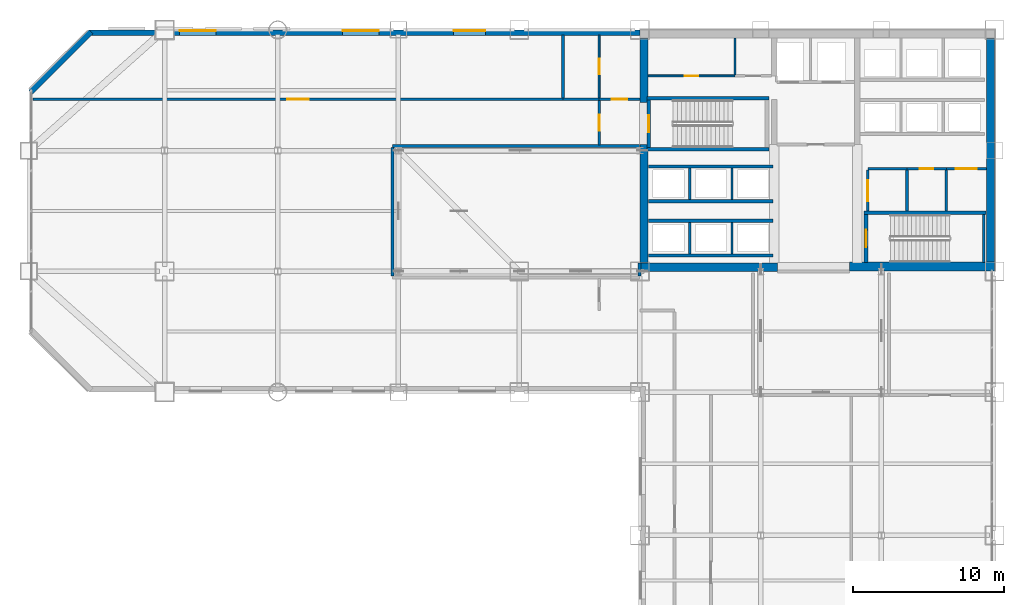
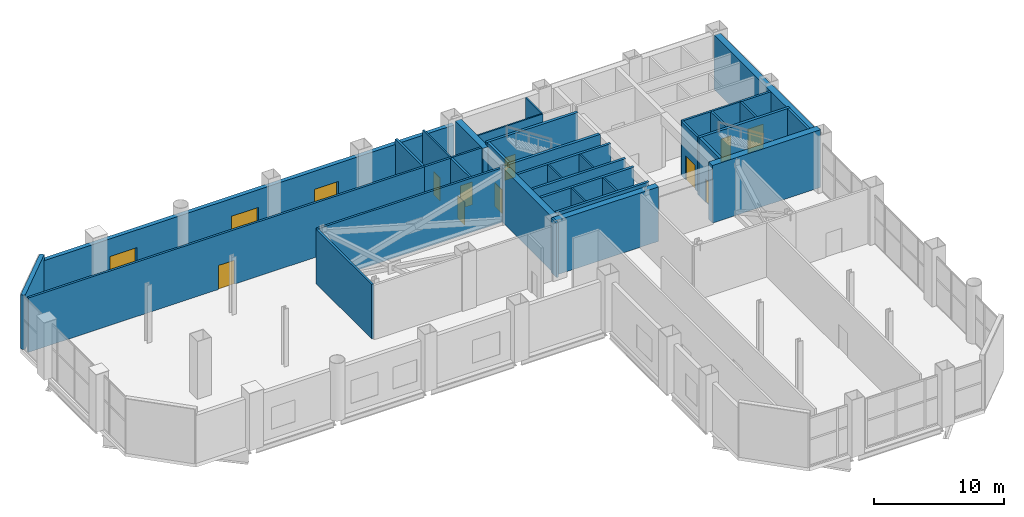
# One storey, part 23 of 26: 38 walls, 10 doors, 3 windows, 13 openings.
"""IFC4 building model written with IfcOpenShell, lengths in metres."""

from ifc_helpers import new_model, si_unit, direction, frame, frame_2d, origin, place, context, subcontext, project, spatial, rectangle, extrude, material, layer, layer_set, type_object, element, fill, save


model = new_model("IFC4")

# Units and contexts
model_context = context("Model", 3, precision=1e-05, world=origin(), true_north=direction((0.0, 1.0)))
body_context = subcontext(model_context, "Body", "Model", "MODEL_VIEW")
ifc_project = project(units=[si_unit("LENGTHUNIT", "METRE"), si_unit("AREAUNIT", "SQUARE_METRE"), si_unit("VOLUMEUNIT", "CUBIC_METRE"), si_unit("PLANEANGLEUNIT", "RADIAN"), si_unit("MASSUNIT", "GRAM", prefix="KILO")], contexts=[model_context])

# Site, building, storey
site_placement = place(None, origin())
site = spatial("IfcSite", under=ifc_project, at=site_placement, CompositionType="ELEMENT")
building_placement = place(site_placement, origin())
building = spatial("IfcBuilding", under=site, at=building_placement, Name="Qianrong Seaharbour Tower", CompositionType="ELEMENT")
storey_placement = place(building_placement, frame((0.0, 0.0, 108.199951171875)))
storey = spatial("IfcBuildingStorey", under=building, at=storey_placement, Name="L26", CompositionType="ELEMENT", Elevation=108.199951171875)

# Walls
ifc_material_1 = material(Name="Concrete C70/85", Category="concrete")
ifc_layer_1 = layer(ifc_material_1, 0.5400390625)
ifc_layer_set_1 = layer_set([ifc_layer_1], Name="Concrete C70/85")
wall_type_1 = type_object("IfcWallType", Name="WALL-CORE-540", PredefinedType="SHEAR", material=ifc_layer_set_1)
wall_1_placement = place(storey_placement, frame((63.72998046875, 36.320068359375, 0.0), z_axis=(0.0, 0.0, 1.0), x_axis=(0.0, 1.0, 0.0)))
element("IfcWall", 1, at=wall_1_placement, inside=storey, type_object=wall_type_1, Name="L26 East Core Shear Wall", PredefinedType="SHEAR", context=body_context, shape_type="SweptSolid", body=[
    extrude(rectangle(XDim=15.139892578125, YDim=0.5400390625, at=frame_2d((7.56982421875, 0.0))), origin(), (0.0, 0.0, 1.0), 5.10009765625),
])
wall_2_placement = place(storey_placement, frame((40.77001953125, 36.5400390625, 0.0), z_axis=(0.0, 0.0, 1.0), x_axis=(0.0, 1.0, 0.0)))
element("IfcWall", 2, at=wall_2_placement, inside=storey, type_object=wall_type_1, Name="L26 West Core Shear Wall South", PredefinedType="SHEAR", context=body_context, shape_type="SweptSolid", body=[
    extrude(rectangle(XDim=7.85986328125, YDim=0.5400390625, at=frame_2d((3.929931640625, 0.0))), origin(), (0.0, 0.0, 1.0), 5.10009765625),
])
wall_3_placement = place(storey_placement, frame((40.77001953125, 47.199951171875, 0.0), z_axis=(0.0, 0.0, 1.0), x_axis=(0.0, 1.0, 0.0)))
element("IfcWall", 3, at=wall_3_placement, inside=storey, type_object=wall_type_1, Name="L26 West Core Shear Wall North", PredefinedType="SHEAR", context=body_context, shape_type="SweptSolid", body=[
    extrude(rectangle(XDim=4.260009765625, YDim=0.5400390625, at=frame_2d((2.1298828125, 0.0))), origin(), (0.0, 0.0, 1.0), 5.10009765625),
])
wall_4_placement = place(storey_placement, frame((40.5, 36.27001953125, 0.0), z_axis=(0.0, 0.0, 1.0), x_axis=(1.0, 0.0, 0.0)))
element("IfcWall", 4, at=wall_4_placement, inside=storey, type_object=wall_type_1, Name="L26 South Core Shear Wall S1", PredefinedType="SHEAR", context=body_context, shape_type="SweptSolid", body=[
    extrude(rectangle(XDim=9.10009765625, YDim=0.5400390625, at=frame_2d((4.550048828125, 0.0))), origin(), (0.0, 0.0, 1.0), 5.10009765625),
])
ifc_layer_2 = layer(ifc_material_1, 0.580078125)
ifc_layer_set_2 = layer_set([ifc_layer_2], Name="Concrete C70/85")
wall_type_2 = type_object("IfcWallType", Name="WALL-CORE-580", PredefinedType="SHEAR", material=ifc_layer_set_2)
wall_5_placement = place(storey_placement, frame((54.39990234375, 36.320068359375, 0.0), z_axis=(0.0, 0.0, 1.0), x_axis=(1.0, 0.0, 0.0)))
element("IfcWall", 5, at=wall_5_placement, inside=storey, type_object=wall_type_2, Name="L26 South Core Shear Wall S3", PredefinedType="SHEAR", context=body_context, shape_type="SweptSolid", body=[
    extrude(rectangle(XDim=9.60009765625, YDim=0.580078125, at=frame_2d((4.800048828125, 0.0))), origin(), (0.0, 0.0, 1.0), 5.400146484375),
])

# Wall, opening, door
ifc_material_2 = material(Name="Fire-rated acoustic gypsum board partition")
ifc_layer_3 = layer(ifc_material_2, 0.1650390625)
ifc_layer_set_3 = layer_set([ifc_layer_3], Name="Fire-rated acoustic gypsum board partition")
wall_type_3 = type_object("IfcWallType", Name="WALL-CORR-PART-165", PredefinedType="PARTITIONING", material=ifc_layer_set_3)
wall_6_placement = place(storey_placement, frame((37.800048828125, 47.39990234375, 0.0), z_axis=(0.0, 0.0, 1.0), x_axis=(1.0, 0.0, 0.0)))
wall_6 = element("IfcWall", 6, at=wall_6_placement, inside=storey, type_object=wall_type_3, Name="L26 Interior Partition Wall 001", PredefinedType="PARTITIONING", context=body_context, shape_type="SweptSolid", body=[
    extrude(rectangle(XDim=2.699951171875, YDim=0.1650390625, at=frame_2d((1.35009765625, 0.0))), origin(), (0.0, 0.0, 1.0), 5.10009765625),
])
opening_1_placement = place(wall_6_placement, frame((0.824951171875, 0.0, 0.0)))
opening_1 = element("IfcOpeningElement", 7, at=opening_1_placement, cuts=wall_6, Name="Opening DC-01", PredefinedType="OPENING", context=body_context, shape_type="SweptSolid", body=[
    extrude(rectangle(XDim=1.050048828125, YDim=2.14990234375, at=frame_2d((0.52490234375, 1.074951171875))), frame((0.0, 0.092529296875, 0.0), z_axis=(0.0, -1.0, 0.0), x_axis=(1.0, 0.0, 0.0)), (0.0, 0.0, 1.0), 0.18505859375),
])
ifc_material_3 = material(Name="Acoustic timber and galvanized steel fire door assembly", Category="steel")
door_type_1 = type_object("IfcDoorType", Name="DOOR-CORR-FD60-1050x2150", OperationType="NOTDEFINED", PredefinedType="DOOR", material=ifc_material_3)
door_1_placement = place(opening_1_placement, origin())
door_1 = element("IfcDoor", 8, at=door_1_placement, inside=storey, type_object=door_type_1, Name="L26 Smokeproof Stair Vestibule ST-1 Door", OperationType="SINGLE_SWING_LEFT", OverallHeight=2.14990234375, OverallWidth=1.050048828125, PredefinedType="DOOR", context=body_context, shape_type="SweptSolid", body=[
    extrude(rectangle(XDim=1.050048828125, YDim=2.14990234375, at=frame_2d((0.52490234375, 1.074951171875))), frame((0.0, 0.02490234375, 0.0), z_axis=(0.0, -1.0, 0.0), x_axis=(1.0, 0.0, 0.0)), (0.0, 0.0, 1.0), 0.050048828125),
])
fill(opening_1, door_1)

wall_7_placement = place(storey_placement, frame((60.800048828125, 42.800048828125, 0.0), z_axis=(0.0, 0.0, 1.0), x_axis=(-1.0, 0.0, 0.0)))
wall_7 = element("IfcWall", 9, at=wall_7_placement, inside=storey, type_object=wall_type_3, Name="L26 Interior Partition Wall 011", PredefinedType="PARTITIONING", context=body_context, shape_type="SweptSolid", body=[
    extrude(rectangle(XDim=2.60009765625, YDim=0.1650390625, at=frame_2d((1.300048828125, 0.0))), origin(), (0.0, 0.0, 1.0), 5.10009765625),
])
opening_2_placement = place(wall_7_placement, frame((0.85009765625, 0.0, 0.0)))
opening_2 = element("IfcOpeningElement", 10, at=opening_2_placement, cuts=wall_7, Name="Opening DS-01", PredefinedType="OPENING", context=body_context, shape_type="SweptSolid", body=[
    extrude(rectangle(XDim=0.89990234375, YDim=2.14990234375, at=frame_2d((0.449951171875, 1.074951171875))), frame((0.0, 0.092529296875, 0.0), z_axis=(0.0, -1.0, 0.0), x_axis=(1.0, 0.0, 0.0)), (0.0, 0.0, 1.0), 0.18505859375),
])
door_type_2 = type_object("IfcDoorType", Name="DOOR-STORE-900x2150", OperationType="NOTDEFINED", PredefinedType="DOOR", material=ifc_material_3)
door_2_placement = place(opening_2_placement, origin())
door_2 = element("IfcDoor", 11, at=door_2_placement, inside=storey, type_object=door_type_2, Name="L26 Supply Store Room Door", OperationType="SINGLE_SWING_LEFT", OverallHeight=2.14990234375, OverallWidth=0.89990234375, PredefinedType="DOOR", context=body_context, shape_type="SweptSolid", body=[
    extrude(rectangle(XDim=0.89990234375, YDim=2.14990234375, at=frame_2d((0.449951171875, 1.074951171875))), frame((0.0, 0.02490234375, 0.0), z_axis=(0.0, -1.0, 0.0), x_axis=(1.0, 0.0, 0.0)), (0.0, 0.0, 1.0), 0.050048828125),
])
fill(opening_2, door_2)

# Wall
ifc_material_4 = material(Name="Unitised red brick on Precast concrete C45/55", Category="masonry")
ifc_layer_4 = layer(ifc_material_4, 0.360107421875)
ifc_layer_set_4 = layer_set([ifc_layer_4], Name="Unitised red brick on Precast concrete C45/55")
wall_type_4 = type_object("IfcWallType", Name="WALL-EXT-BRICK-RED-360", PredefinedType="SOLIDWALL", material=ifc_layer_set_4)
wall_8_placement = place(storey_placement, frame((0.127197265625, 47.872802734375, 0.0), z_axis=(0.0, 0.0, 1.0), x_axis=(0.707106781187, 0.707106781187, 0.0)))
element("IfcWall", 12, at=wall_8_placement, inside=storey, type_object=wall_type_4, Name="L26 Exterior Masonry Facade Wall E04", PredefinedType="SOLIDWALL", context=body_context, shape_type="SweptSolid", body=[
    extrude(rectangle(XDim=5.65673828125, YDim=0.360107421875, at=frame_2d((2.828369140625, 0.0))), origin(), (0.0, 0.0, 1.0), 5.10009765625),
])

# Wall, openings, windows
wall_9_placement = place(storey_placement, frame((4.0, 51.820068359375, 0.0), z_axis=(0.0, 0.0, 1.0), x_axis=(1.0, 0.0, 0.0)))
wall_9 = element("IfcWall", 13, at=wall_9_placement, inside=storey, type_object=wall_type_4, Name="L26 Exterior Masonry Facade Wall NORTH_WING", PredefinedType="SOLIDWALL", context=body_context, shape_type="SweptSolid", body=[
    extrude(rectangle(XDim=36.52001953125, YDim=0.360107421875, at=frame_2d((18.260009765625, 0.0))), origin(), (0.0, 0.0, 1.0), 4.60009765625),
])
opening_3_placement = place(wall_9_placement, frame((6.0, 0.0, 0.800048828125)))
opening_3 = element("IfcOpeningElement", 14, at=opening_3_placement, cuts=wall_9, Name="Opening WN-07", PredefinedType="OPENING", context=body_context, shape_type="SweptSolid", body=[
    extrude(rectangle(XDim=2.39990234375, YDim=2.14990234375, at=frame_2d((1.199951171875, 1.074951171875))), frame((0.0, 0.18994140625, 0.0), z_axis=(0.0, -1.0, 0.0), x_axis=(1.0, 0.0, 0.0)), (0.0, 0.0, 1.0), 0.380126953125),
])
opening_4_placement = place(wall_9_placement, frame((16.800048828125, 0.0, 0.800048828125)))
opening_4 = element("IfcOpeningElement", 15, at=opening_4_placement, cuts=wall_9, Name="Opening WN-07", PredefinedType="OPENING", context=body_context, shape_type="SweptSolid", body=[
    extrude(rectangle(XDim=2.39990234375, YDim=2.14990234375, at=frame_2d((1.199951171875, 1.074951171875))), frame((0.0, 0.18994140625, 0.0), z_axis=(0.0, -1.0, 0.0), x_axis=(1.0, 0.0, 0.0)), (0.0, 0.0, 1.0), 0.380126953125),
])
opening_5_placement = place(wall_9_placement, frame((24.14990234375, 0.0, 0.85009765625)))
opening_5 = element("IfcOpeningElement", 16, at=opening_5_placement, cuts=wall_9, Name="Opening WN-06", PredefinedType="OPENING", context=body_context, shape_type="SweptSolid", body=[
    extrude(rectangle(XDim=2.10009765625, YDim=2.050048828125, at=frame_2d((1.050048828125, 1.02490234375))), frame((0.0, 0.18994140625, 0.0), z_axis=(0.0, -1.0, 0.0), x_axis=(1.0, 0.0, 0.0)), (0.0, 0.0, 1.0), 0.380126953125),
])
ifc_material_5 = material(Name="Insulated low-e double glazing in thermally broken aluminium 6063-T6 frame", Category="aluminium")
window_type_1 = type_object("IfcWindowType", Name="WIN-PUNCH-2100x2050", PartitioningType="TRIPLE_PANEL_VERTICAL", PredefinedType="WINDOW", material=ifc_material_5)
window_1_placement = place(opening_5_placement, origin())
window_1 = element("IfcWindow", 17, at=window_1_placement, inside=storey, type_object=window_type_1, Name="L26 Deep-Set Punched Window 05.07", OverallHeight=2.050048828125, OverallWidth=2.10009765625, PartitioningType="TRIPLE_PANEL_VERTICAL", PredefinedType="WINDOW", context=body_context, shape_type="SweptSolid", body=[
    extrude(rectangle(XDim=2.10009765625, YDim=2.050048828125, at=frame_2d((1.050048828125, 1.02490234375))), frame((0.0, 0.150146484375, 0.0), z_axis=(0.0, -1.0, 0.0), x_axis=(1.0, 0.0, 0.0)), (0.0, 0.0, 1.0), 0.06005859375),
])
fill(opening_5, window_1)
window_type_2 = type_object("IfcWindowType", Name="WIN-PUNCH-2400x2150", PartitioningType="TRIPLE_PANEL_VERTICAL", PredefinedType="WINDOW", material=ifc_material_5)
window_2_placement = place(opening_3_placement, origin())
window_2 = element("IfcWindow", 18, at=window_2_placement, inside=storey, type_object=window_type_2, Name="L26 Deep-Set Punched Window 05.02", OverallHeight=2.14990234375, OverallWidth=2.39990234375, PartitioningType="TRIPLE_PANEL_VERTICAL", PredefinedType="WINDOW", context=body_context, shape_type="SweptSolid", body=[
    extrude(rectangle(XDim=2.39990234375, YDim=2.14990234375, at=frame_2d((1.199951171875, 1.074951171875))), frame((0.0, 0.150146484375, 0.0), z_axis=(0.0, -1.0, 0.0), x_axis=(1.0, 0.0, 0.0)), (0.0, 0.0, 1.0), 0.06005859375),
])
fill(opening_3, window_2)
window_3_placement = place(opening_4_placement, origin())
window_3 = element("IfcWindow", 19, at=window_3_placement, inside=storey, type_object=window_type_2, Name="L26 Deep-Set Punched Window 05.05", OverallHeight=2.14990234375, OverallWidth=2.39990234375, PartitioningType="TRIPLE_PANEL_VERTICAL", PredefinedType="WINDOW", context=body_context, shape_type="SweptSolid", body=[
    extrude(rectangle(XDim=2.39990234375, YDim=2.14990234375, at=frame_2d((1.199951171875, 1.074951171875))), frame((0.0, 0.150146484375, 0.0), z_axis=(0.0, -1.0, 0.0), x_axis=(1.0, 0.0, 0.0)), (0.0, 0.0, 1.0), 0.06005859375),
])
fill(opening_4, window_3)

# Walls
ifc_material_6 = material(Name="Double fire-rated gypsum board acoustic partition")
ifc_layer_5 = layer(ifc_material_6, 0.18994140625)
ifc_layer_set_5 = layer_set([ifc_layer_5], Name="Double fire-rated gypsum board acoustic partition")
wall_type_5 = type_object("IfcWallType", Name="WALL-FIRE-PART-190", PredefinedType="PARTITIONING", material=ifc_layer_set_5)
wall_10_placement = place(storey_placement, frame((24.10009765625, 44.300048828125, 0.0), z_axis=(0.0, 0.0, 1.0), x_axis=(1.0, 0.0, 0.0)))
element("IfcWall", 20, at=wall_10_placement, inside=storey, type_object=wall_type_5, Name="L26 Outrigger Truss Zone Fire Enclosure Wall N", PredefinedType="PARTITIONING", context=body_context, shape_type="SweptSolid", body=[
    extrude(rectangle(XDim=16.3798828125, YDim=0.18994140625, at=frame_2d((8.18994140625, 0.0))), origin(), (0.0, 0.0, 1.0), 5.10009765625),
])
wall_11_placement = place(storey_placement, frame((24.10009765625, 35.695068359375, 0.0), z_axis=(0.0, 0.0, 1.0), x_axis=(0.0, 1.0, 0.0)))
element("IfcWall", 21, at=wall_11_placement, inside=storey, type_object=wall_type_5, Name="L26 Outrigger Truss Zone Fire Enclosure Wall W", PredefinedType="PARTITIONING", context=body_context, shape_type="SweptSolid", body=[
    extrude(rectangle(XDim=8.510009765625, YDim=0.18994140625, at=frame_2d((4.2548828125, 0.0))), origin(), (0.0, 0.0, 1.0), 5.10009765625),
])
wall_12_placement = place(storey_placement, frame((40.47998046875, 36.5400390625, 0.0), z_axis=(0.0, 0.0, 1.0), x_axis=(0.0, -1.0, 0.0)))
element("IfcWall", 22, at=wall_12_placement, inside=storey, type_object=wall_type_5, Name="L26 Outrigger Truss Zone Fire Enclosure Wall E", PredefinedType="PARTITIONING", context=body_context, shape_type="SweptSolid", body=[
    extrude(rectangle(XDim=0.844970703125, YDim=0.18994140625, at=frame_2d((0.42236328125, 0.0))), origin(), (0.0, 0.0, 1.0), 5.10009765625),
])

# Wall, opening, door
wall_13_placement = place(storey_placement, frame((37.800048828125, 44.386962890625, 0.0), z_axis=(0.0, 0.0, 1.0), x_axis=(0.0, 1.0, 0.0)))
wall_13 = element("IfcWall", 23, at=wall_13_placement, inside=storey, type_object=wall_type_5, Name="L26 Interior Partition Wall 002", PredefinedType="PARTITIONING", context=body_context, shape_type="SweptSolid", body=[
    extrude(rectangle(XDim=2.926025390625, YDim=0.18994140625, at=frame_2d((1.462890625, 0.0))), origin(), (0.0, 0.0, 1.0), 5.10009765625),
])
opening_6_placement = place(wall_13_placement, frame((0.93798828125, 0.0, 0.0)))
opening_6 = element("IfcOpeningElement", 24, at=opening_6_placement, cuts=wall_13, Name="Opening DC-01", PredefinedType="OPENING", context=body_context, shape_type="SweptSolid", body=[
    extrude(rectangle(XDim=1.050048828125, YDim=2.14990234375, at=frame_2d((0.52490234375, 1.074951171875))), frame((0.0, 0.10498046875, 0.0), z_axis=(0.0, -1.0, 0.0), x_axis=(1.0, 0.0, 0.0)), (0.0, 0.0, 1.0), 0.2099609375),
])
door_3_placement = place(opening_6_placement, origin())
door_3 = element("IfcDoor", 25, at=door_3_placement, inside=storey, type_object=door_type_1, Name="L26 Smokeproof Stair Vestibule ST-1 Door", OperationType="SINGLE_SWING_RIGHT", OverallHeight=2.14990234375, OverallWidth=1.050048828125, PredefinedType="DOOR", context=body_context, shape_type="SweptSolid", body=[
    extrude(rectangle(XDim=1.050048828125, YDim=2.14990234375, at=frame_2d((0.52490234375, 1.074951171875))), frame((0.0, 0.02490234375, 0.0), z_axis=(0.0, -1.0, 0.0), x_axis=(1.0, 0.0, 0.0)), (0.0, 0.0, 1.0), 0.050048828125),
])
fill(opening_6, door_3)

# Walls
wall_14_placement = place(storey_placement, frame((37.800048828125, 47.39990234375, 0.0), z_axis=(0.0, 0.0, 1.0), x_axis=(-1.0, 0.0, 0.0)))
element("IfcWall", 26, at=wall_14_placement, inside=storey, type_object=wall_type_5, Name="L26 Interior Partition Wall 004", PredefinedType="PARTITIONING", context=body_context, shape_type="SweptSolid", body=[
    extrude(rectangle(XDim=2.400146484375, YDim=0.18994140625, at=frame_2d((1.2001953125, 0.0))), origin(), (0.0, 0.0, 1.0), 5.10009765625),
])
wall_15_placement = place(storey_placement, frame((35.39990234375, 47.487060546875, 0.0), z_axis=(0.0, 0.0, 1.0), x_axis=(0.0, 1.0, 0.0)))
element("IfcWall", 27, at=wall_15_placement, inside=storey, type_object=wall_type_5, Name="L26 Interior Partition Wall 005", PredefinedType="PARTITIONING", context=body_context, shape_type="SweptSolid", body=[
    extrude(rectangle(XDim=4.160888671875, YDim=0.18994140625, at=frame_2d((2.08056640625, 0.0))), origin(), (0.0, 0.0, 1.0), 5.10009765625),
])

# Wall, opening, door
wall_16_placement = place(storey_placement, frame((55.60009765625, 42.712890625, 0.0), z_axis=(0.0, 0.0, 1.0), x_axis=(0.0, -1.0, 0.0)))
wall_16 = element("IfcWall", 28, at=wall_16_placement, inside=storey, type_object=wall_type_5, Name="L26 Interior Partition Wall 009", PredefinedType="PARTITIONING", context=body_context, shape_type="SweptSolid", body=[
    extrude(rectangle(XDim=2.73095703125, YDim=0.18994140625, at=frame_2d((1.365478515625, 0.0))), origin(), (0.0, 0.0, 1.0), 5.10009765625),
])
opening_7_placement = place(wall_16_placement, frame((0.66552734375, 0.0, 0.0)))
opening_7 = element("IfcOpeningElement", 29, at=opening_7_placement, cuts=wall_16, Name="Opening DP-01", PredefinedType="OPENING", context=body_context, shape_type="SweptSolid", body=[
    extrude(rectangle(XDim=1.39990234375, YDim=2.25, at=frame_2d((0.699951171875, 1.125))), frame((0.0, 0.10498046875, 0.0), z_axis=(0.0, -1.0, 0.0), x_axis=(1.0, 0.0, 0.0)), (0.0, 0.0, 1.0), 0.2099609375),
])
door_type_3 = type_object("IfcDoorType", Name="DOOR-PLANT-PAIR-1400x2250", OperationType="DOUBLE_DOOR_SINGLE_SWING", PredefinedType="DOOR", material=ifc_material_3)
door_4_placement = place(opening_7_placement, origin())
door_4 = element("IfcDoor", 30, at=door_4_placement, inside=storey, type_object=door_type_3, Name="L26 Core Telecom Room Door", OperationType="DOUBLE_DOOR_SINGLE_SWING", OverallHeight=2.25, OverallWidth=1.39990234375, PredefinedType="DOOR", context=body_context, shape_type="SweptSolid", body=[
    extrude(rectangle(XDim=1.39990234375, YDim=2.25, at=frame_2d((0.699951171875, 1.125))), frame((0.0, 0.02490234375, 0.0), z_axis=(0.0, -1.0, 0.0), x_axis=(1.0, 0.0, 0.0)), (0.0, 0.0, 1.0), 0.050048828125),
])
fill(opening_7, door_4)

# Wall
wall_17_placement = place(storey_placement, frame((58.199951171875, 42.800048828125, 0.0), z_axis=(0.0, 0.0, 1.0), x_axis=(-1.0, 0.0, 0.0)))
element("IfcWall", 31, at=wall_17_placement, inside=storey, type_object=wall_type_5, Name="L26 Interior Partition Wall 010", PredefinedType="PARTITIONING", context=body_context, shape_type="SweptSolid", body=[
    extrude(rectangle(XDim=2.599853515625, YDim=0.18994140625, at=frame_2d((1.2998046875, 0.0))), origin(), (0.0, 0.0, 1.0), 5.10009765625),
])

# Wall, opening, door
wall_18_placement = place(storey_placement, frame((63.4599609375, 42.800048828125, 0.0), z_axis=(0.0, 0.0, 1.0), x_axis=(-1.0, 0.0, 0.0)))
wall_18 = element("IfcWall", 32, at=wall_18_placement, inside=storey, type_object=wall_type_5, Name="L26 Interior Partition Wall 012", PredefinedType="PARTITIONING", context=body_context, shape_type="SweptSolid", body=[
    extrude(rectangle(XDim=2.659912109375, YDim=0.18994140625, at=frame_2d((1.330078125, 0.0))), origin(), (0.0, 0.0, 1.0), 5.10009765625),
])
opening_8_placement = place(wall_18_placement, frame((0.6298828125, 0.0, 0.0)))
opening_8 = element("IfcOpeningElement", 33, at=opening_8_placement, cuts=wall_18, Name="Opening DP-01", PredefinedType="OPENING", context=body_context, shape_type="SweptSolid", body=[
    extrude(rectangle(XDim=1.39990234375, YDim=2.25, at=frame_2d((0.699951171875, 1.125))), frame((0.0, 0.10498046875, 0.0), z_axis=(0.0, -1.0, 0.0), x_axis=(1.0, 0.0, 0.0)), (0.0, 0.0, 1.0), 0.2099609375),
])
door_5_placement = place(opening_8_placement, origin())
door_5 = element("IfcDoor", 34, at=door_5_placement, inside=storey, type_object=door_type_3, Name="L26 Building Metering Room Door", OperationType="DOUBLE_DOOR_SINGLE_SWING", OverallHeight=2.25, OverallWidth=1.39990234375, PredefinedType="DOOR", context=body_context, shape_type="SweptSolid", body=[
    extrude(rectangle(XDim=1.39990234375, YDim=2.25, at=frame_2d((0.699951171875, 1.125))), frame((0.0, 0.02490234375, 0.0), z_axis=(0.0, -1.0, 0.0), x_axis=(1.0, 0.0, 0.0)), (0.0, 0.0, 1.0), 0.050048828125),
])
fill(opening_8, door_5)

# Walls
for number, where, z_axis, x_axis, name in (
    (35, (58.199951171875, 42.712890625, 0.0), (0.0, 0.0, 1.0), (0.0, -1.0, 0.0), "L26 Interior Partition Wall 014"),
    (36, (60.800048828125, 42.712890625, 0.0), (0.0, 0.0, 1.0), (0.0, -1.0, 0.0), "L26 Interior Partition Wall 015"),
):
    element("IfcWall", number, at=place(storey_placement, frame(where, z_axis=z_axis, x_axis=x_axis)), inside=storey, type_object=wall_type_5, Name=name, PredefinedType="PARTITIONING", context=body_context, shape_type="SweptSolid", body=[
        extrude(rectangle(XDim=2.73095703125, YDim=0.18994140625, at=frame_2d((1.365478515625, 0.0))), origin(), (0.0, 0.0, 1.0), 5.10009765625),
    ])

# Wall, opening, door
wall_19_placement = place(storey_placement, frame((0.281982421875, 47.39990234375, 0.0), z_axis=(0.0, 0.0, 1.0), x_axis=(1.0, 0.0, 0.0)))
wall_19 = element("IfcWall", 37, at=wall_19_placement, inside=storey, type_object=wall_type_5, Name="L26 Interior Partition Wall 017", PredefinedType="PARTITIONING", context=body_context, shape_type="SweptSolid", body=[
    extrude(rectangle(XDim=35.117919921875, YDim=0.18994140625, at=frame_2d((17.55908203125, 0.0))), origin(), (0.0, 0.0, 1.0), 5.10009765625),
])
opening_9_placement = place(wall_19_placement, frame((16.85888671875, 0.0, 0.0)))
opening_9 = element("IfcOpeningElement", 38, at=opening_9_placement, cuts=wall_19, Name="Opening DP-01", PredefinedType="OPENING", context=body_context, shape_type="SweptSolid", body=[
    extrude(rectangle(XDim=1.39990234375, YDim=2.25, at=frame_2d((0.699951171875, 1.125))), frame((0.0, 0.10498046875, 0.0), z_axis=(0.0, -1.0, 0.0), x_axis=(1.0, 0.0, 0.0)), (0.0, 0.0, 1.0), 0.2099609375),
])
door_6_placement = place(opening_9_placement, origin())
door_6 = element("IfcDoor", 39, at=door_6_placement, inside=storey, type_object=door_type_3, Name="L26 Chiller Plant Room Door", OperationType="DOUBLE_DOOR_SINGLE_SWING", OverallHeight=2.25, OverallWidth=1.39990234375, PredefinedType="DOOR", context=body_context, shape_type="SweptSolid", body=[
    extrude(rectangle(XDim=1.39990234375, YDim=2.25, at=frame_2d((0.699951171875, 1.125))), frame((0.0, 0.02490234375, 0.0), z_axis=(0.0, -1.0, 0.0), x_axis=(1.0, 0.0, 0.0)), (0.0, 0.0, 1.0), 0.050048828125),
])
fill(opening_9, door_6)

# Walls
ifc_material_7 = material(Name="Fire-rated gypsum board on steel studs", Category="steel")
ifc_layer_6 = layer(ifc_material_7, 0.14990234375)
ifc_layer_set_6 = layer_set([ifc_layer_6], Name="Fire-rated gypsum board on steel studs")
wall_type_6 = type_object("IfcWallType", Name="WALL-SHAFT-DIV-150", PredefinedType="PARTITIONING", material=ifc_layer_set_6)
for number, where, z_axis, x_axis, name in (
    (40, (43.800048828125, 37.159912109375, 0.0), (0.0, 0.0, 1.0), (0.0, 1.0, 0.0), "L26 P1 Lift Hoistway Divider 2"),
    (41, (46.60009765625, 37.159912109375, 0.0), (0.0, 0.0, 1.0), (0.0, 1.0, 0.0), "L26 P1 Lift Hoistway Divider 3"),
    (42, (43.800048828125, 40.760009765625, 0.0), (0.0, 0.0, 1.0), (0.0, 1.0, 0.0), "L26 P2 Lift Hoistway Divider 2"),
    (43, (46.60009765625, 40.760009765625, 0.0), (0.0, 0.0, 1.0), (0.0, 1.0, 0.0), "L26 P2 Lift Hoistway Divider 3"),
):
    element("IfcWall", number, at=place(storey_placement, frame(where, z_axis=z_axis, x_axis=x_axis)), inside=storey, type_object=wall_type_6, Name=name, PredefinedType="PARTITIONING", context=body_context, shape_type="SweptSolid", body=[
        extrude(rectangle(XDim=2.080078125, YDim=0.14990234375, at=frame_2d((1.0400390625, 0.0))), origin(), (0.0, 0.0, 1.0), 5.10009765625),
    ])
ifc_layer_7 = layer(ifc_material_7, 0.219970703125)
ifc_layer_set_7 = layer_set([ifc_layer_7], Name="Fire-rated gypsum board on steel studs")
wall_type_7 = type_object("IfcWallType", Name="WALL-SHAFT-GYP220", PredefinedType="PARTITIONING", material=ifc_layer_set_7)
for number, where, z_axis, x_axis, name in (
    (44, (49.320068359375, 37.050048828125, 0.0), (0.0, 0.0, 1.0), (-1.0, 0.0, 0.0), "L26 P1 Lift Hoistway Front Wall"),
    (45, (41.080078125, 39.35009765625, 0.0), (0.0, 0.0, 1.0), (1.0, 0.0, 0.0), "L26 P1 Lift Hoistway Back Wall"),
    (46, (49.320068359375, 40.64990234375, 0.0), (0.0, 0.0, 1.0), (-1.0, 0.0, 0.0), "L26 P2 Lift Hoistway Front Wall"),
    (47, (41.080078125, 42.949951171875, 0.0), (0.0, 0.0, 1.0), (1.0, 0.0, 0.0), "L26 P2 Lift Hoistway Back Wall"),
):
    element("IfcWall", number, at=place(storey_placement, frame(where, z_axis=z_axis, x_axis=x_axis)), inside=storey, type_object=wall_type_7, Name=name, PredefinedType="PARTITIONING", context=body_context, shape_type="SweptSolid", body=[
        extrude(rectangle(XDim=8.239990234375, YDim=0.219970703125, at=frame_2d((4.1201171875, 0.0))), origin(), (0.0, 0.0, 1.0), 5.10009765625),
    ])
ifc_material_8 = material(Name="Concrete C50/60", Category="concrete")
ifc_layer_8 = layer(ifc_material_8, 0.239990234375)
ifc_layer_set_8 = layer_set([ifc_layer_8], Name="Concrete C50/60")
wall_type_8 = type_object("IfcWallType", Name="WALL-SHAFT-RC240", PredefinedType="SOLIDWALL", material=ifc_layer_set_8)
for number, where, z_axis, x_axis, name in (
    (48, (40.9599609375, 47.469970703125, 0.0), (0.0, 0.0, 1.0), (1.0, 0.0, 0.0), "L26 ST-1 Structural Stair Core Wall N"),
    (49, (49.0400390625, 44.080078125, 0.0), (0.0, 0.0, 1.0), (-1.0, 0.0, 0.0), "L26 ST-1 Structural Stair Core Wall S"),
):
    element("IfcWall", number, at=place(storey_placement, frame(where, z_axis=z_axis, x_axis=x_axis)), inside=storey, type_object=wall_type_8, Name=name, PredefinedType="SOLIDWALL", context=body_context, shape_type="SweptSolid", body=[
        extrude(rectangle(XDim=8.080078125, YDim=0.239990234375, at=frame_2d((4.0400390625, 0.0))), origin(), (0.0, 0.0, 1.0), 5.400146484375),
    ])

# Wall, opening, door
wall_20_placement = place(storey_placement, frame((41.080078125, 47.35009765625, 0.0), z_axis=(0.0, 0.0, 1.0), x_axis=(0.0, -1.0, 0.0)))
wall_20 = element("IfcWall", 50, at=wall_20_placement, inside=storey, type_object=wall_type_8, Name="L26 ST-1 Structural Stair Core Wall W", PredefinedType="SOLIDWALL", context=body_context, shape_type="SweptSolid", body=[
    extrude(rectangle(XDim=3.150146484375, YDim=0.239990234375, at=frame_2d((1.5751953125, 0.0))), origin(), (0.0, 0.0, 1.0), 5.400146484375),
])
opening_10_placement = place(wall_20_placement, frame((1.0, 0.0, 0.0)))
opening_10 = element("IfcOpeningElement", 51, at=opening_10_placement, cuts=wall_20, Name="Opening SD-01", PredefinedType="OPENING", context=body_context, shape_type="SweptSolid", body=[
    extrude(rectangle(XDim=1.14990234375, YDim=2.199951171875, at=frame_2d((0.574951171875, 1.10009765625))), frame((0.0, 0.1298828125, 0.0), z_axis=(0.0, -1.0, 0.0), x_axis=(1.0, 0.0, 0.0)), (0.0, 0.0, 1.0), 0.260009765625),
])
door_type_4 = type_object("IfcDoorType", Name="DOOR-STAIR-FD60-1150x2200", OperationType="NOTDEFINED", PredefinedType="DOOR", material=ifc_material_3)
door_7_placement = place(opening_10_placement, origin())
door_7 = element("IfcDoor", 52, at=door_7_placement, inside=storey, type_object=door_type_4, Name="L26 ST-1 Protected Stair Door", OperationType="SINGLE_SWING_LEFT", OverallHeight=2.199951171875, OverallWidth=1.14990234375, PredefinedType="DOOR", context=body_context, shape_type="SweptSolid", body=[
    extrude(rectangle(XDim=1.14990234375, YDim=2.199951171875, at=frame_2d((0.574951171875, 1.10009765625))), frame((0.0, 0.02490234375, 0.0), z_axis=(0.0, -1.0, 0.0), x_axis=(1.0, 0.0, 0.0)), (0.0, 0.0, 1.0), 0.050048828125),
])
fill(opening_10, door_7)

# Wall
wall_21_placement = place(storey_placement, frame((55.360107421875, 39.8701171875, 0.0), z_axis=(0.0, 0.0, 1.0), x_axis=(1.0, 0.0, 0.0)))
element("IfcWall", 53, at=wall_21_placement, inside=storey, type_object=wall_type_8, Name="L26 ST-2 Structural Stair Core Wall N", PredefinedType="SOLIDWALL", context=body_context, shape_type="SweptSolid", body=[
    extrude(rectangle(XDim=8.079833984375, YDim=0.239990234375, at=frame_2d((4.0400390625, 0.0))), origin(), (0.0, 0.0, 1.0), 5.400146484375),
])

# Wall, opening, door
wall_22_placement = place(storey_placement, frame((55.47998046875, 39.75, 0.0), z_axis=(0.0, 0.0, 1.0), x_axis=(0.0, -1.0, 0.0)))
wall_22 = element("IfcWall", 54, at=wall_22_placement, inside=storey, type_object=wall_type_8, Name="L26 ST-2 Structural Stair Core Wall W", PredefinedType="SOLIDWALL", context=body_context, shape_type="SweptSolid", body=[
    extrude(rectangle(XDim=3.14990234375, YDim=0.239990234375, at=frame_2d((1.574951171875, 0.0))), origin(), (0.0, 0.0, 1.0), 5.400146484375),
])
opening_11_placement = place(wall_22_placement, frame((1.0, 0.0, 0.0)))
opening_11 = element("IfcOpeningElement", 55, at=opening_11_placement, cuts=wall_22, Name="Opening SD-01", PredefinedType="OPENING", context=body_context, shape_type="SweptSolid", body=[
    extrude(rectangle(XDim=1.14990234375, YDim=2.199951171875, at=frame_2d((0.574951171875, 1.10009765625))), frame((0.0, 0.1298828125, 0.0), z_axis=(0.0, -1.0, 0.0), x_axis=(1.0, 0.0, 0.0)), (0.0, 0.0, 1.0), 0.260009765625),
])
door_8_placement = place(opening_11_placement, origin())
door_8 = element("IfcDoor", 56, at=door_8_placement, inside=storey, type_object=door_type_4, Name="L26 ST-2 Protected Stair Door", OperationType="SINGLE_SWING_LEFT", OverallHeight=2.199951171875, OverallWidth=1.14990234375, PredefinedType="DOOR", context=body_context, shape_type="SweptSolid", body=[
    extrude(rectangle(XDim=1.14990234375, YDim=2.199951171875, at=frame_2d((0.574951171875, 1.10009765625))), frame((0.0, 0.02490234375, 0.0), z_axis=(0.0, -1.0, 0.0), x_axis=(1.0, 0.0, 0.0)), (0.0, 0.0, 1.0), 0.050048828125),
])
fill(opening_11, door_8)

# Wall
wall_23_placement = place(storey_placement, frame((63.2900390625, 36.60009765625, 0.0), z_axis=(0.0, 0.0, 1.0), x_axis=(0.0, 1.0, 0.0)))
element("IfcWall", 57, at=wall_23_placement, inside=storey, type_object=wall_type_8, Name="L26 ST-2 Structural Stair Core Wall E", PredefinedType="SOLIDWALL", context=body_context, shape_type="SweptSolid", body=[
    extrude(rectangle(XDim=3.14990234375, YDim=0.179931640625, at=frame_2d((1.574951171875, 0.0))), origin(), (0.0, 0.0, 1.0), 5.400146484375),
])

# Wall, opening, door
ifc_material_9 = material(Name="Water-resistant cement board sanitary partition")
ifc_layer_9 = layer(ifc_material_9, 0.1298828125)
ifc_layer_set_9 = layer_set([ifc_layer_9], Name="Water-resistant cement board sanitary partition")
wall_type_9 = type_object("IfcWallType", Name="WALL-WET-PART-130", PredefinedType="PARTITIONING", material=ifc_layer_set_9)
wall_24_placement = place(storey_placement, frame((37.800048828125, 47.487060546875, 0.0), z_axis=(0.0, 0.0, 1.0), x_axis=(0.0, 1.0, 0.0)))
wall_24 = element("IfcWall", 58, at=wall_24_placement, inside=storey, type_object=wall_type_9, Name="L26 Interior Partition Wall 003", PredefinedType="PARTITIONING", context=body_context, shape_type="SweptSolid", body=[
    extrude(rectangle(XDim=4.160888671875, YDim=0.1298828125, at=frame_2d((2.08056640625, 0.0))), origin(), (0.0, 0.0, 1.0), 5.10009765625),
])
opening_12_placement = place(wall_24_placement, frame((1.570556640625, 0.0, 0.0)))
opening_12 = element("IfcOpeningElement", 59, at=opening_12_placement, cuts=wall_24, Name="Opening DAW-01", PredefinedType="OPENING", context=body_context, shape_type="SweptSolid", body=[
    extrude(rectangle(XDim=1.02001953125, YDim=2.14990234375, at=frame_2d((0.510009765625, 1.074951171875))), frame((0.0, 0.074951171875, 0.0), z_axis=(0.0, -1.0, 0.0), x_axis=(1.0, 0.0, 0.0)), (0.0, 0.0, 1.0), 0.14990234375),
])
door_type_5 = type_object("IfcDoorType", Name="DOOR-AWC-SLIDE-1020x2150", OperationType="SLIDING_TO_LEFT", PredefinedType="DOOR", material=ifc_material_3)
door_9_placement = place(opening_12_placement, origin())
door_9 = element("IfcDoor", 60, at=door_9_placement, inside=storey, type_object=door_type_5, Name="L26 Accessible Restroom WC Door", OperationType="SLIDING_TO_LEFT", OverallHeight=2.14990234375, OverallWidth=1.02001953125, PredefinedType="DOOR", context=body_context, shape_type="SweptSolid", body=[
    extrude(rectangle(XDim=1.02001953125, YDim=2.14990234375, at=frame_2d((0.510009765625, 1.074951171875))), frame((0.0, 0.02490234375, 0.0), z_axis=(0.0, -1.0, 0.0), x_axis=(1.0, 0.0, 0.0)), (0.0, 0.0, 1.0), 0.050048828125),
])
fill(opening_12, door_9)

wall_25_placement = place(storey_placement, frame((41.0400390625, 48.949951171875, 0.0), z_axis=(0.0, 0.0, 1.0), x_axis=(1.0, 0.0, 0.0)))
wall_25 = element("IfcWall", 61, at=wall_25_placement, inside=storey, type_object=wall_type_9, Name="L26 Interior Partition Wall 006", PredefinedType="PARTITIONING", context=body_context, shape_type="SweptSolid", body=[
    extrude(rectangle(XDim=5.760009765625, YDim=0.1298828125, at=frame_2d((2.8798828125, 0.0))), origin(), (0.0, 0.0, 1.0), 5.10009765625),
])
opening_13_placement = place(wall_25_placement, frame((2.419921875, 0.0, 0.0)))
opening_13 = element("IfcOpeningElement", 62, at=opening_13_placement, cuts=wall_25, Name="Opening DW-01", PredefinedType="OPENING", context=body_context, shape_type="SweptSolid", body=[
    extrude(rectangle(XDim=0.919921875, YDim=2.14990234375, at=frame_2d((0.4599609375, 1.074951171875))), frame((0.0, 0.074951171875, 0.0), z_axis=(0.0, -1.0, 0.0), x_axis=(1.0, 0.0, 0.0)), (0.0, 0.0, 1.0), 0.14990234375),
])
door_type_6 = type_object("IfcDoorType", Name="DOOR-WC-920x2150", OperationType="NOTDEFINED", PredefinedType="DOOR", material=ifc_material_3)
door_10_placement = place(opening_13_placement, origin())
door_10 = element("IfcDoor", 63, at=door_10_placement, inside=storey, type_object=door_type_6, Name="L26 Restroom WC Suite Door", OperationType="SINGLE_SWING_LEFT", OverallHeight=2.14990234375, OverallWidth=0.919921875, PredefinedType="DOOR", context=body_context, shape_type="SweptSolid", body=[
    extrude(rectangle(XDim=0.919921875, YDim=2.14990234375, at=frame_2d((0.4599609375, 1.074951171875))), frame((0.0, 0.02490234375, 0.0), z_axis=(0.0, -1.0, 0.0), x_axis=(1.0, 0.0, 0.0)), (0.0, 0.0, 1.0), 0.050048828125),
])
fill(opening_13, door_10)

# Wall
wall_26_placement = place(storey_placement, frame((46.800048828125, 51.4599609375, 0.0), z_axis=(0.0, 0.0, 1.0), x_axis=(0.0, -1.0, 0.0)))
element("IfcWall", 64, at=wall_26_placement, inside=storey, type_object=wall_type_9, Name="L26 Interior Partition Wall 013", PredefinedType="PARTITIONING", context=body_context, shape_type="SweptSolid", body=[
    extrude(rectangle(XDim=2.435546875, YDim=0.1298828125, at=frame_2d((1.2177734375, 0.0))), origin(), (0.0, 0.0, 1.0), 5.10009765625),
])

save(model, "model.ifc")
